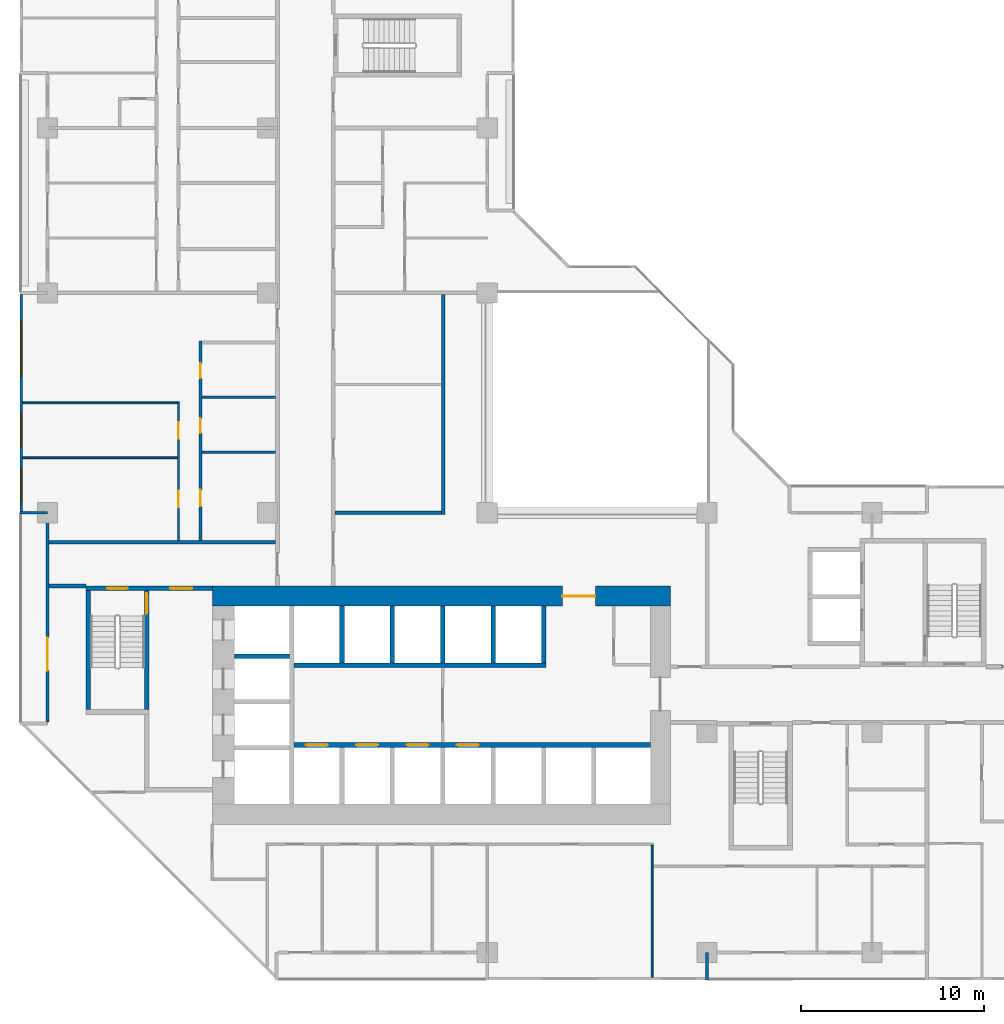
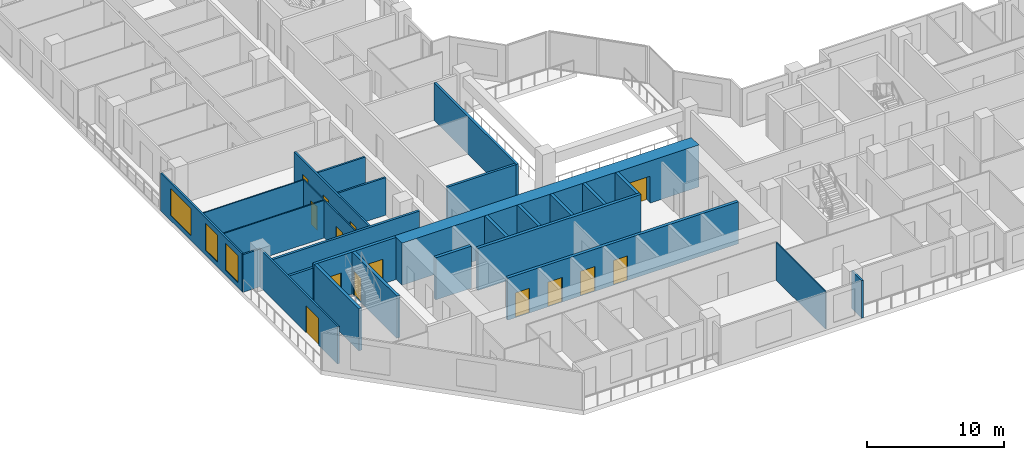
# One storey, part 5 of 15: 27 walls, 14 doors, 3 windows, 17 openings.
"""IFC4 building model written with IfcOpenShell, lengths in metres."""

from ifc_helpers import new_model, si_unit, direction, frame, frame_2d, origin, place, context, subcontext, project, spatial, rectangle, extrude, material, layer, layer_set, type_object, element, fill, save


model = new_model("IFC4")

# Units and contexts
model_context = context("Model", 3, precision=1e-05, world=origin(), true_north=direction((0.0, 1.0)))
body_context = subcontext(model_context, "Body", "Model", "MODEL_VIEW")
ifc_project = project(units=[si_unit("LENGTHUNIT", "METRE"), si_unit("AREAUNIT", "SQUARE_METRE"), si_unit("VOLUMEUNIT", "CUBIC_METRE"), si_unit("PLANEANGLEUNIT", "RADIAN"), si_unit("MASSUNIT", "GRAM", prefix="KILO")], contexts=[model_context])

# Site, building, storey
site_placement = place(None, origin())
site = spatial("IfcSite", under=ifc_project, at=site_placement, CompositionType="ELEMENT")
building_placement = place(site_placement, origin())
building = spatial("IfcBuilding", under=site, at=building_placement, Name="Chenar Terraces", CompositionType="ELEMENT")
storey_placement = place(building_placement, frame((0.0, 0.0, 60.14990234375)))
storey = spatial("IfcBuildingStorey", under=building, at=storey_placement, Name="L12", CompositionType="ELEMENT", Elevation=60.14990234375)

# Wall, opening, door
ifc_material_1 = material(Name="Concrete C70/85", Category="concrete")
ifc_layer_1 = layer(ifc_material_1, 1.10009765625)
ifc_layer_set_1 = layer_set([ifc_layer_1], Name="Concrete C70/85")
wall_type_1 = type_object("IfcWallType", Name="Core wall 1100 Concrete C70/85", PredefinedType="SHEAR", material=ifc_layer_set_1)
wall_1_placement = place(storey_placement, frame((9.0, 19.449951171875, 0.0), z_axis=(0.0, 0.0, 1.0), x_axis=(1.0, 0.0, 0.0)))
wall_1 = element("IfcWall", 1, at=wall_1_placement, inside=storey, type_object=wall_type_1, Name="Core wall N L12", PredefinedType="SHEAR", context=body_context, shape_type="SweptSolid", body=[
    extrude(rectangle(XDim=25.0, YDim=1.10009765625, at=frame_2d((12.5, 0.0))), origin(), (0.0, 0.0, 1.0), 3.75),
])
opening_1_placement = place(wall_1_placement, frame((19.10009765625, 0.0, 0.0)))
opening_1 = element("IfcOpeningElement", 2, at=opening_1_placement, cuts=wall_1, Name="Opening DL12-C2", PredefinedType="OPENING", context=body_context, shape_type="SweptSolid", body=[
    extrude(rectangle(XDim=1.800048828125, YDim=2.39990234375, at=frame_2d((0.89990234375, 1.199951171875))), frame((0.0, 0.56005859375, 0.0), z_axis=(0.0, -1.0, 0.0), x_axis=(1.0, 0.0, 0.0)), (0.0, 0.0, 1.0), 1.1201171875),
])
ifc_material_2 = material(Name="Steel-framed fire-resisting door leaf", Category="steel")
door_type_1 = type_object("IfcDoorType", Name="Core entrance double fire door FD60 1800 x 2400", OperationType="DOUBLE_DOOR_SINGLE_SWING", PredefinedType="DOOR", material=ifc_material_2)
door_1_placement = place(opening_1_placement, frame((1.800048828125, 0.0, 0.0), z_axis=(0.0, 0.0, 1.0), x_axis=(-1.0, 0.0, 0.0)))
door_1 = element("IfcDoor", 3, at=door_1_placement, inside=storey, type_object=door_type_1, Name="Core door DL12-C2", OperationType="DOUBLE_DOOR_SINGLE_SWING", OverallHeight=2.39990234375, OverallWidth=1.800048828125, PredefinedType="DOOR", context=body_context, shape_type="SweptSolid", body=[
    extrude(rectangle(XDim=1.800048828125, YDim=2.39990234375, at=frame_2d((0.89990234375, 1.199951171875))), frame((0.0, 0.02490234375, 0.0), z_axis=(0.0, -1.0, 0.0), x_axis=(1.0, 0.0, 0.0)), (0.0, 0.0, 1.0), 0.050048828125),
])
fill(opening_1, door_1)

# Wall, openings, doors
ifc_material_3 = material(Name="Concrete C70/85", Category="concrete")
ifc_layer_2 = layer(ifc_material_3, 0.25)
ifc_layer_set_2 = layer_set([ifc_layer_2], Name="Concrete C70/85")
wall_type_2 = type_object("IfcWallType", Name="Core wall 250 Concrete C70/85", PredefinedType="SHEAR", material=ifc_layer_set_2)
wall_2_placement = place(storey_placement, frame((13.449951171875, 11.324951171875, 0.0), z_axis=(0.0, 0.0, 1.0), x_axis=(1.0, 0.0, 0.0)))
wall_2 = element("IfcWall", 4, at=wall_2_placement, inside=storey, type_object=wall_type_2, Name="Core wall SF L12", PredefinedType="SHEAR", context=body_context, shape_type="SweptSolid", body=[
    extrude(rectangle(XDim=19.449951171875, YDim=0.25, at=frame_2d((9.72509765625, 0.0))), origin(), (0.0, 0.0, 1.0), 3.75),
])
opening_2_placement = place(wall_2_placement, frame((0.64990234375, 0.0, 0.0)))
opening_2 = element("IfcOpeningElement", 5, at=opening_2_placement, cuts=wall_2, Name="Opening DL12-LD1", PredefinedType="OPENING", context=body_context, shape_type="SweptSolid", body=[
    extrude(rectangle(XDim=1.199951171875, YDim=2.199951171875, at=frame_2d((0.60009765625, 1.10009765625))), frame((0.0, 0.135009765625, 0.0), z_axis=(0.0, -1.0, 0.0), x_axis=(1.0, 0.0, 0.0)), (0.0, 0.0, 1.0), 0.27001953125),
])
opening_3_placement = place(wall_2_placement, frame((3.39990234375, 0.0, 0.0)))
opening_3 = element("IfcOpeningElement", 6, at=opening_3_placement, cuts=wall_2, Name="Opening DL12-LD2", PredefinedType="OPENING", context=body_context, shape_type="SweptSolid", body=[
    extrude(rectangle(XDim=1.199951171875, YDim=2.199951171875, at=frame_2d((0.60009765625, 1.10009765625))), frame((0.0, 0.135009765625, 0.0), z_axis=(0.0, -1.0, 0.0), x_axis=(1.0, 0.0, 0.0)), (0.0, 0.0, 1.0), 0.27001953125),
])
opening_4_placement = place(wall_2_placement, frame((6.14990234375, 0.0, 0.0)))
opening_4 = element("IfcOpeningElement", 7, at=opening_4_placement, cuts=wall_2, Name="Opening DL12-LD3", PredefinedType="OPENING", context=body_context, shape_type="SweptSolid", body=[
    extrude(rectangle(XDim=1.199951171875, YDim=2.199951171875, at=frame_2d((0.60009765625, 1.10009765625))), frame((0.0, 0.135009765625, 0.0), z_axis=(0.0, -1.0, 0.0), x_axis=(1.0, 0.0, 0.0)), (0.0, 0.0, 1.0), 0.27001953125),
])
opening_5_placement = place(wall_2_placement, frame((8.89990234375, 0.0, 0.0)))
opening_5 = element("IfcOpeningElement", 8, at=opening_5_placement, cuts=wall_2, Name="Opening DL12-LD4", PredefinedType="OPENING", context=body_context, shape_type="SweptSolid", body=[
    extrude(rectangle(XDim=1.199951171875, YDim=2.199951171875, at=frame_2d((0.60009765625, 1.10009765625))), frame((0.0, 0.135009765625, 0.0), z_axis=(0.0, -1.0, 0.0), x_axis=(1.0, 0.0, 0.0)), (0.0, 0.0, 1.0), 0.27001953125),
])
ifc_material_4 = material(Name="Stainless steel", Category="steel")
door_type_2 = type_object("IfcDoorType", Name="Lift landing door 1200 x 2200 sliding", OperationType="DOUBLE_DOOR_SLIDING", PredefinedType="DOOR", material=ifc_material_4)
door_2_placement = place(opening_2_placement, origin())
door_2 = element("IfcDoor", 9, at=door_2_placement, inside=storey, type_object=door_type_2, Name="Landing door L1", OperationType="DOUBLE_DOOR_SLIDING", OverallHeight=2.199951171875, OverallWidth=1.199951171875, PredefinedType="DOOR", context=body_context, shape_type="SweptSolid", body=[
    extrude(rectangle(XDim=1.199951171875, YDim=2.199951171875, at=frame_2d((0.60009765625, 1.10009765625))), frame((0.0, 0.02490234375, 0.0), z_axis=(0.0, -1.0, 0.0), x_axis=(1.0, 0.0, 0.0)), (0.0, 0.0, 1.0), 0.050048828125),
])
fill(opening_2, door_2)
door_3_placement = place(opening_3_placement, origin())
door_3 = element("IfcDoor", 10, at=door_3_placement, inside=storey, type_object=door_type_2, Name="Landing door L2", OperationType="DOUBLE_DOOR_SLIDING", OverallHeight=2.199951171875, OverallWidth=1.199951171875, PredefinedType="DOOR", context=body_context, shape_type="SweptSolid", body=[
    extrude(rectangle(XDim=1.199951171875, YDim=2.199951171875, at=frame_2d((0.60009765625, 1.10009765625))), frame((0.0, 0.02490234375, 0.0), z_axis=(0.0, -1.0, 0.0), x_axis=(1.0, 0.0, 0.0)), (0.0, 0.0, 1.0), 0.050048828125),
])
fill(opening_3, door_3)
door_4_placement = place(opening_4_placement, origin())
door_4 = element("IfcDoor", 11, at=door_4_placement, inside=storey, type_object=door_type_2, Name="Landing door L3", OperationType="DOUBLE_DOOR_SLIDING", OverallHeight=2.199951171875, OverallWidth=1.199951171875, PredefinedType="DOOR", context=body_context, shape_type="SweptSolid", body=[
    extrude(rectangle(XDim=1.199951171875, YDim=2.199951171875, at=frame_2d((0.60009765625, 1.10009765625))), frame((0.0, 0.02490234375, 0.0), z_axis=(0.0, -1.0, 0.0), x_axis=(1.0, 0.0, 0.0)), (0.0, 0.0, 1.0), 0.050048828125),
])
fill(opening_4, door_4)
door_5_placement = place(opening_5_placement, origin())
door_5 = element("IfcDoor", 12, at=door_5_placement, inside=storey, type_object=door_type_2, Name="Landing door L4", OperationType="DOUBLE_DOOR_SLIDING", OverallHeight=2.199951171875, OverallWidth=1.199951171875, PredefinedType="DOOR", context=body_context, shape_type="SweptSolid", body=[
    extrude(rectangle(XDim=1.199951171875, YDim=2.199951171875, at=frame_2d((0.60009765625, 1.10009765625))), frame((0.0, 0.02490234375, 0.0), z_axis=(0.0, -1.0, 0.0), x_axis=(1.0, 0.0, 0.0)), (0.0, 0.0, 1.0), 0.050048828125),
])
fill(opening_5, door_5)

# Walls
wall_3_placement = place(storey_placement, frame((13.449951171875, 15.675048828125, 0.0), z_axis=(0.0, 0.0, 1.0), x_axis=(1.0, 0.0, 0.0)))
element("IfcWall", 13, at=wall_3_placement, inside=storey, type_object=wall_type_2, Name="Core wall NF L12", PredefinedType="SHEAR", context=body_context, shape_type="SweptSolid", body=[
    extrude(rectangle(XDim=13.75, YDim=0.25, at=frame_2d((6.875, 0.0))), origin(), (0.0, 0.0, 1.0), 3.75),
])
wall_4_placement = place(storey_placement, frame((10.199951171875, 16.175048828125, 0.0), z_axis=(0.0, 0.0, 1.0), x_axis=(1.0, 0.0, 0.0)))
element("IfcWall", 14, at=wall_4_placement, inside=storey, type_object=wall_type_2, Name="Core wall HW2 L12", PredefinedType="SHEAR", context=body_context, shape_type="SweptSolid", body=[
    extrude(rectangle(XDim=3.0, YDim=0.25, at=frame_2d((1.5, 0.0))), origin(), (0.0, 0.0, 1.0), 3.75),
])
for number, where, z_axis, x_axis, name in (
    (15, (16.074951171875, 15.800048828125, 0.0), (0.0, 0.0, 1.0), (0.0, 1.0, 0.0), "Core wall NS0 L12"),
    (16, (18.824951171875, 15.800048828125, 0.0), (0.0, 0.0, 1.0), (0.0, 1.0, 0.0), "Core wall NS1 L12"),
    (17, (21.574951171875, 15.800048828125, 0.0), (0.0, 0.0, 1.0), (0.0, 1.0, 0.0), "Core wall NS2 L12"),
    (18, (24.324951171875, 15.800048828125, 0.0), (0.0, 0.0, 1.0), (0.0, 1.0, 0.0), "Core wall NS3 L12"),
    (19, (27.074951171875, 15.800048828125, 0.0), (0.0, 0.0, 1.0), (0.0, 1.0, 0.0), "Core wall NE L12"),
):
    element("IfcWall", number, at=place(storey_placement, frame(where, z_axis=z_axis, x_axis=x_axis)), inside=storey, type_object=wall_type_2, Name=name, PredefinedType="SHEAR", context=body_context, shape_type="SweptSolid", body=[
        extrude(rectangle(XDim=3.099853515625, YDim=0.25, at=frame_2d((1.5498046875, 0.0))), origin(), (0.0, 0.0, 1.0), 3.75),
    ])

# Wall, openings, doors
wall_5_placement = place(storey_placement, frame((2.10009765625, 19.875, 0.0), z_axis=(0.0, 0.0, 1.0), x_axis=(1.0, 0.0, 0.0)))
wall_5 = element("IfcWall", 20, at=wall_5_placement, inside=storey, type_object=wall_type_2, Name="Core wall A_N L12", PredefinedType="SHEAR", context=body_context, shape_type="SweptSolid", body=[
    extrude(rectangle(XDim=6.89990234375, YDim=0.25, at=frame_2d((3.449951171875, 0.0))), origin(), (0.0, 0.0, 1.0), 3.75),
])
opening_6_placement = place(wall_5_placement, frame((1.175048828125, 0.0, 0.0)))
opening_6 = element("IfcOpeningElement", 21, at=opening_6_placement, cuts=wall_5, Name="Opening DL12-C5", PredefinedType="OPENING", context=body_context, shape_type="SweptSolid", body=[
    extrude(rectangle(XDim=1.10009765625, YDim=2.199951171875, at=frame_2d((0.550048828125, 1.10009765625))), frame((0.0, 0.135009765625, 0.0), z_axis=(0.0, -1.0, 0.0), x_axis=(1.0, 0.0, 0.0)), (0.0, 0.0, 1.0), 0.27001953125),
])
opening_7_placement = place(wall_5_placement, frame((4.60009765625, 0.0, 0.0)))
opening_7 = element("IfcOpeningElement", 22, at=opening_7_placement, cuts=wall_5, Name="Opening DL12-C6", PredefinedType="OPENING", context=body_context, shape_type="SweptSolid", body=[
    extrude(rectangle(XDim=1.199951171875, YDim=2.199951171875, at=frame_2d((0.60009765625, 1.10009765625))), frame((0.0, 0.135009765625, 0.0), z_axis=(0.0, -1.0, 0.0), x_axis=(1.0, 0.0, 0.0)), (0.0, 0.0, 1.0), 0.27001953125),
])
ifc_material_5 = material(Name="Steel-framed fire-resisting door leaf", Category="steel")
door_type_3 = type_object("IfcDoorType", Name="Lobby fire door FD60 1200 x 2200", OperationType="SINGLE_SWING_LEFT", PredefinedType="DOOR", material=ifc_material_5)
door_6_placement = place(opening_7_placement, frame((1.199951171875, 0.0, 0.0), z_axis=(0.0, 0.0, 1.0), x_axis=(-1.0, 0.0, 0.0)))
door_6 = element("IfcDoor", 23, at=door_6_placement, inside=storey, type_object=door_type_3, Name="Core door DL12-C6", OperationType="SINGLE_SWING_LEFT", OverallHeight=2.199951171875, OverallWidth=1.199951171875, PredefinedType="DOOR", context=body_context, shape_type="SweptSolid", body=[
    extrude(rectangle(XDim=1.199951171875, YDim=2.199951171875, at=frame_2d((0.60009765625, 1.10009765625))), frame((0.0, 0.02490234375, 0.0), z_axis=(0.0, -1.0, 0.0), x_axis=(1.0, 0.0, 0.0)), (0.0, 0.0, 1.0), 0.050048828125),
])
fill(opening_7, door_6)
ifc_material_6 = material(Name="Steel-framed fire-resisting door leaf", Category="steel")
door_type_4 = type_object("IfcDoorType", Name="Stair fire door FD60 1100 x 2200", OperationType="SINGLE_SWING_LEFT", PredefinedType="DOOR", material=ifc_material_6)
door_7_placement = place(opening_6_placement, origin())
door_7 = element("IfcDoor", 24, at=door_7_placement, inside=storey, type_object=door_type_4, Name="Stair door DL12-C5", OperationType="SINGLE_SWING_LEFT", OverallHeight=2.199951171875, OverallWidth=1.10009765625, PredefinedType="DOOR", context=body_context, shape_type="SweptSolid", body=[
    extrude(rectangle(XDim=1.10009765625, YDim=2.199951171875, at=frame_2d((0.550048828125, 1.10009765625))), frame((0.0, 0.02490234375, 0.0), z_axis=(0.0, -1.0, 0.0), x_axis=(1.0, 0.0, 0.0)), (0.0, 0.0, 1.0), 0.050048828125),
])
fill(opening_6, door_7)

# Wall
wall_6_placement = place(storey_placement, frame((2.22509765625, 13.25, 0.0), z_axis=(0.0, 0.0, 1.0), x_axis=(0.0, 1.0, 0.0)))
element("IfcWall", 25, at=wall_6_placement, inside=storey, type_object=wall_type_2, Name="Core wall ST1_W L12", PredefinedType="SHEAR", context=body_context, shape_type="SweptSolid", body=[
    extrude(rectangle(XDim=6.5, YDim=0.25, at=frame_2d((3.25, 0.0))), origin(), (0.0, 0.0, 1.0), 3.75),
])

# Wall, opening, door
wall_7_placement = place(storey_placement, frame((5.425048828125, 13.25, 0.0), z_axis=(0.0, 0.0, 1.0), x_axis=(0.0, 1.0, 0.0)))
wall_7 = element("IfcWall", 26, at=wall_7_placement, inside=storey, type_object=wall_type_2, Name="Core wall ST1_E L12", PredefinedType="SHEAR", context=body_context, shape_type="SweptSolid", body=[
    extrude(rectangle(XDim=6.5, YDim=0.25, at=frame_2d((3.25, 0.0))), origin(), (0.0, 0.0, 1.0), 3.75),
])
opening_8_placement = place(wall_7_placement, frame((5.25, 0.0, 0.0)))
opening_8 = element("IfcOpeningElement", 27, at=opening_8_placement, cuts=wall_7, Name="Opening DL12-C3", PredefinedType="OPENING", context=body_context, shape_type="SweptSolid", body=[
    extrude(rectangle(XDim=1.10009765625, YDim=2.199951171875, at=frame_2d((0.550048828125, 1.10009765625))), frame((0.0, 0.135009765625, 0.0), z_axis=(0.0, -1.0, 0.0), x_axis=(1.0, 0.0, 0.0)), (0.0, 0.0, 1.0), 0.27001953125),
])
door_8_placement = place(opening_8_placement, origin())
door_8 = element("IfcDoor", 28, at=door_8_placement, inside=storey, type_object=door_type_4, Name="Stair door DL12-C3", OperationType="SINGLE_SWING_RIGHT", OverallHeight=2.199951171875, OverallWidth=1.10009765625, PredefinedType="DOOR", context=body_context, shape_type="SweptSolid", body=[
    extrude(rectangle(XDim=1.10009765625, YDim=2.199951171875, at=frame_2d((0.550048828125, 1.10009765625))), frame((0.0, 0.02490234375, 0.0), z_axis=(0.0, -1.0, 0.0), x_axis=(1.0, 0.0, 0.0)), (0.0, 0.0, 1.0), 0.050048828125),
])
fill(opening_8, door_8)

# Walls
ifc_material_7 = material(Name="Gypsum board on steel studs with fire boards", Category="steel")
ifc_layer_3 = layer(ifc_material_7, 0.199951171875)
ifc_layer_set_3 = layer_set([ifc_layer_3], Name="Gypsum board on steel studs with fire boards")
wall_type_3 = type_object("IfcWallType", Name="Corridor wall 200", PredefinedType="PARTITIONING", material=ifc_layer_set_3)
wall_8_placement = place(storey_placement, frame((0.073974609375, 20.0, 0.0), z_axis=(0.0, 0.0, 1.0), x_axis=(1.0, 0.0, 0.0)))
element("IfcWall", 29, at=wall_8_placement, inside=storey, type_object=wall_type_3, Name="Partition L12-009", PredefinedType="PARTITIONING", context=body_context, shape_type="SweptSolid", body=[
    extrude(rectangle(XDim=2.026123046875, YDim=0.199951171875, at=frame_2d((1.01318359375, 0.0))), origin(), (0.0, 0.0, 1.0), 3.35009765625),
])
wall_9_placement = place(storey_placement, frame((0.073974609375, 22.39990234375, 0.0), z_axis=(0.0, 0.0, 1.0), x_axis=(1.0, 0.0, 0.0)))
element("IfcWall", 30, at=wall_9_placement, inside=storey, type_object=wall_type_3, Name="Partition L12-010", PredefinedType="PARTITIONING", context=body_context, shape_type="SweptSolid", body=[
    extrude(rectangle(XDim=12.3759765625, YDim=0.199951171875, at=frame_2d((6.18798828125, 0.0))), origin(), (0.0, 0.0, 1.0), 3.35009765625),
])
wall_10_placement = place(storey_placement, frame((15.699951171875, 24.0, 0.0), z_axis=(0.0, 0.0, 1.0), x_axis=(1.0, 0.0, 0.0)))
element("IfcWall", 31, at=wall_10_placement, inside=storey, type_object=wall_type_3, Name="Partition L12-039", PredefinedType="PARTITIONING", context=body_context, shape_type="SweptSolid", body=[
    extrude(rectangle(XDim=5.800048828125, YDim=0.199951171875, at=frame_2d((2.89990234375, 0.0))), origin(), (0.0, 0.0, 1.0), 3.35009765625),
])
wall_11_placement = place(storey_placement, frame((21.60009765625, 23.89990234375, 0.0), z_axis=(0.0, 0.0, 1.0), x_axis=(0.0, 1.0, 0.0)))
element("IfcWall", 32, at=wall_11_placement, inside=storey, type_object=wall_type_3, Name="Partition L12-057", PredefinedType="PARTITIONING", context=body_context, shape_type="SweptSolid", body=[
    extrude(rectangle(XDim=12.0, YDim=0.199951171875, at=frame_2d((6.0, 0.0))), origin(), (0.0, 0.0, 1.0), 3.35009765625),
])

# Wall, openings, windows
ifc_material_8 = material(Name="Aluminium framed glazing", Category="aluminium")
ifc_layer_4 = layer(ifc_material_8, 0.14990234375)
ifc_layer_set_4 = layer_set([ifc_layer_4], Name="Aluminium framed glazing")
wall_type_4 = type_object("IfcWallType", Name="Glazed flush facade wall 150", PredefinedType="SOLIDWALL", material=ifc_layer_set_4)
wall_12_placement = place(storey_placement, frame((-1.425048828125, 35.925048828125, 0.0), z_axis=(0.0, 0.0, 1.0), x_axis=(0.0, -1.0, 0.0)))
wall_12 = element("IfcWall", 33, at=wall_12_placement, inside=storey, type_object=wall_type_4, Name="Glazed flush facade wall", PredefinedType="SOLIDWALL", context=body_context, shape_type="SweptSolid", body=[
    extrude(rectangle(XDim=11.85009765625, YDim=0.14990234375, at=frame_2d((5.925048828125, 0.0))), origin(), (0.0, 0.0, 1.0), 3.35009765625),
])
opening_9_placement = place(wall_12_placement, frame((1.46240234375, 0.0, 0.449951171875)))
opening_9 = element("IfcOpeningElement", 34, at=opening_9_placement, cuts=wall_12, Name="Opening W300x240", PredefinedType="OPENING", context=body_context, shape_type="SweptSolid", body=[
    extrude(rectangle(XDim=3.0, YDim=2.39990234375, at=frame_2d((1.5, 1.199951171875))), frame((0.0, 0.0849609375, 0.0), z_axis=(0.0, -1.0, 0.0), x_axis=(1.0, 0.0, 0.0)), (0.0, 0.0, 1.0), 0.169921875),
])
opening_10_placement = place(wall_12_placement, frame((6.52490234375, 0.0, 0.449951171875)))
opening_10 = element("IfcOpeningElement", 35, at=opening_10_placement, cuts=wall_12, Name="Opening W180x240", PredefinedType="OPENING", context=body_context, shape_type="SweptSolid", body=[
    extrude(rectangle(XDim=1.800048828125, YDim=2.39990234375, at=frame_2d((0.89990234375, 1.199951171875))), frame((0.0, 0.0849609375, 0.0), z_axis=(0.0, -1.0, 0.0), x_axis=(1.0, 0.0, 0.0)), (0.0, 0.0, 1.0), 0.169921875),
])
opening_11_placement = place(wall_12_placement, frame((9.487548828125, 0.0, 0.449951171875)))
opening_11 = element("IfcOpeningElement", 36, at=opening_11_placement, cuts=wall_12, Name="Opening W180x240", PredefinedType="OPENING", context=body_context, shape_type="SweptSolid", body=[
    extrude(rectangle(XDim=1.800048828125, YDim=2.39990234375, at=frame_2d((0.89990234375, 1.199951171875))), frame((0.0, 0.0849609375, 0.0), z_axis=(0.0, -1.0, 0.0), x_axis=(1.0, 0.0, 0.0)), (0.0, 0.0, 1.0), 0.169921875),
])
ifc_material_9 = material(Name="Low emissivity double glazing, aluminium frame", Category="aluminium")
window_type_1 = type_object("IfcWindowType", Name="Fixed light 1800 x 2400", PartitioningType="SINGLE_PANEL", PredefinedType="WINDOW", material=ifc_material_9)
window_1_placement = place(opening_10_placement, origin())
window_1 = element("IfcWindow", 37, at=window_1_placement, inside=storey, type_object=window_type_1, Name="Window", OverallHeight=2.39990234375, OverallWidth=1.800048828125, PartitioningType="SINGLE_PANEL", PredefinedType="WINDOW", context=body_context, shape_type="SweptSolid", body=[
    extrude(rectangle(XDim=1.800048828125, YDim=2.39990234375, at=frame_2d((0.89990234375, 1.199951171875))), frame((0.0, 0.030029296875, 0.0), z_axis=(0.0, -1.0, 0.0), x_axis=(1.0, 0.0, 0.0)), (0.0, 0.0, 1.0), 0.06005859375),
])
fill(opening_10, window_1)
window_2_placement = place(opening_11_placement, origin())
window_2 = element("IfcWindow", 38, at=window_2_placement, inside=storey, type_object=window_type_1, Name="Window", OverallHeight=2.39990234375, OverallWidth=1.800048828125, PartitioningType="SINGLE_PANEL", PredefinedType="WINDOW", context=body_context, shape_type="SweptSolid", body=[
    extrude(rectangle(XDim=1.800048828125, YDim=2.39990234375, at=frame_2d((0.89990234375, 1.199951171875))), frame((0.0, 0.030029296875, 0.0), z_axis=(0.0, -1.0, 0.0), x_axis=(1.0, 0.0, 0.0)), (0.0, 0.0, 1.0), 0.06005859375),
])
fill(opening_11, window_2)
ifc_material_10 = material(Name="Low emissivity double glazing, aluminium frame", Category="aluminium")
window_type_2 = type_object("IfcWindowType", Name="Fixed light 3000 x 2400", PartitioningType="SINGLE_PANEL", PredefinedType="WINDOW", material=ifc_material_10)
window_3_placement = place(opening_9_placement, origin())
window_3 = element("IfcWindow", 39, at=window_3_placement, inside=storey, type_object=window_type_2, Name="Window", OverallHeight=2.39990234375, OverallWidth=3.0, PartitioningType="SINGLE_PANEL", PredefinedType="WINDOW", context=body_context, shape_type="SweptSolid", body=[
    extrude(rectangle(XDim=3.0, YDim=2.39990234375, at=frame_2d((1.5, 1.199951171875))), frame((0.0, 0.030029296875, 0.0), z_axis=(0.0, -1.0, 0.0), x_axis=(1.0, 0.0, 0.0)), (0.0, 0.0, 1.0), 0.06005859375),
])
fill(opening_9, window_3)

# Wall, opening, door
ifc_material_11 = material(Name="Aluminium framed glazing", Category="aluminium")
ifc_layer_5 = layer(ifc_material_11, 0.14990234375)
ifc_layer_set_5 = layer_set([ifc_layer_5], Name="Aluminium framed glazing")
wall_type_5 = type_object("IfcWallType", Name="Glazed loggia back wall 150", PredefinedType="SOLIDWALL", material=ifc_layer_set_5)
wall_13_placement = place(storey_placement, frame((0.0, 23.925048828125, 0.0), z_axis=(0.0, 0.0, 1.0), x_axis=(0.0, -1.0, 0.0)))
wall_13 = element("IfcWall", 40, at=wall_13_placement, inside=storey, type_object=wall_type_5, Name="Glazed loggia back wall", PredefinedType="SOLIDWALL", context=body_context, shape_type="SweptSolid", body=[
    extrude(rectangle(XDim=11.35009765625, YDim=0.14990234375, at=frame_2d((5.675048828125, 0.0))), origin(), (0.0, 0.0, 1.0), 3.35009765625),
])
opening_12_placement = place(wall_13_placement, frame((6.737548828125, 0.0, 0.0)))
opening_12 = element("IfcOpeningElement", 41, at=opening_12_placement, cuts=wall_13, Name="Opening DL12-G4", PredefinedType="OPENING", context=body_context, shape_type="SweptSolid", body=[
    extrude(rectangle(XDim=1.800048828125, YDim=2.39990234375, at=frame_2d((0.89990234375, 1.199951171875))), frame((0.0, 0.0849609375, 0.0), z_axis=(0.0, -1.0, 0.0), x_axis=(1.0, 0.0, 0.0)), (0.0, 0.0, 1.0), 0.169921875),
])
ifc_material_12 = material(Name="Low emissivity double glazing, aluminium frame", Category="aluminium")
door_type_5 = type_object("IfcDoorType", Name="Loggia glazed double door 1800 x 2400", OperationType="DOUBLE_DOOR_SINGLE_SWING", PredefinedType="DOOR", material=ifc_material_12)
door_9_placement = place(opening_12_placement, frame((1.800048828125, 0.0, 0.0), z_axis=(0.0, 0.0, 1.0), x_axis=(-1.0, 0.0, 0.0)))
door_9 = element("IfcDoor", 42, at=door_9_placement, inside=storey, type_object=door_type_5, Name="Loggia glazed door", OperationType="DOUBLE_DOOR_SINGLE_SWING", OverallHeight=2.39990234375, OverallWidth=1.800048828125, PredefinedType="DOOR", context=body_context, shape_type="SweptSolid", body=[
    extrude(rectangle(XDim=1.800048828125, YDim=2.39990234375, at=frame_2d((0.89990234375, 1.199951171875))), frame((0.0, 0.02490234375, 0.0), z_axis=(0.0, -1.0, 0.0), x_axis=(1.0, 0.0, 0.0)), (0.0, 0.0, 1.0), 0.050048828125),
])
fill(opening_12, door_9)

# Walls
ifc_material_13 = material(Name="Gypsum board on steel studs", Category="steel")
ifc_layer_6 = layer(ifc_material_13, 0.10009765625)
ifc_layer_set_6 = layer_set([ifc_layer_6], Name="Gypsum board on steel studs")
wall_type_6 = type_object("IfcWallType", Name="Gypsum partition 100", PredefinedType="PARTITIONING", material=ifc_layer_set_6)
wall_14_placement = place(storey_placement, frame((-1.35107421875, 27.0, 0.0), z_axis=(0.0, 0.0, 1.0), x_axis=(1.0, 0.0, 0.0)))
element("IfcWall", 43, at=wall_14_placement, inside=storey, type_object=wall_type_6, Name="Partition L12-001", PredefinedType="PARTITIONING", context=body_context, shape_type="SweptSolid", body=[
    extrude(rectangle(XDim=8.451171875, YDim=0.10009765625, at=frame_2d((4.2255859375, 0.0))), origin(), (0.0, 0.0, 1.0), 3.35009765625),
])
wall_15_placement = place(storey_placement, frame((-1.35009765625, 30.0, 0.0), z_axis=(0.0, 0.0, 1.0), x_axis=(1.0, 0.0, 0.0)))
element("IfcWall", 44, at=wall_15_placement, inside=storey, type_object=wall_type_6, Name="Partition L12-004", PredefinedType="PARTITIONING", context=body_context, shape_type="SweptSolid", body=[
    extrude(rectangle(XDim=8.4501953125, YDim=0.10009765625, at=frame_2d((4.22509765625, 0.0))), origin(), (0.0, 0.0, 1.0), 3.35009765625),
])

# Wall, openings, doors
wall_16_placement = place(storey_placement, frame((7.14990234375, 22.5, 0.0), z_axis=(0.0, 0.0, 1.0), x_axis=(0.0, 1.0, 0.0)))
wall_16 = element("IfcWall", 45, at=wall_16_placement, inside=storey, type_object=wall_type_6, Name="Partition L12-018", PredefinedType="PARTITIONING", context=body_context, shape_type="SweptSolid", body=[
    extrude(rectangle(XDim=7.550048828125, YDim=0.10009765625, at=frame_2d((3.77490234375, 0.0))), origin(), (0.0, 0.0, 1.0), 3.35009765625),
])
opening_13_placement = place(wall_16_placement, frame((1.800048828125, 0.0, 0.0)))
opening_13 = element("IfcOpeningElement", 46, at=opening_13_placement, cuts=wall_16, Name="Opening DL12-69", PredefinedType="OPENING", context=body_context, shape_type="SweptSolid", body=[
    extrude(rectangle(XDim=0.89990234375, YDim=2.10009765625, at=frame_2d((0.449951171875, 1.050048828125))), frame((0.0, 0.06005859375, 0.0), z_axis=(0.0, -1.0, 0.0), x_axis=(1.0, 0.0, 0.0)), (0.0, 0.0, 1.0), 0.1201171875),
])
opening_14_placement = place(wall_16_placement, frame((5.550048828125, 0.0, 0.0)))
opening_14 = element("IfcOpeningElement", 47, at=opening_14_placement, cuts=wall_16, Name="Opening DL12-70", PredefinedType="OPENING", context=body_context, shape_type="SweptSolid", body=[
    extrude(rectangle(XDim=0.89990234375, YDim=2.10009765625, at=frame_2d((0.449951171875, 1.050048828125))), frame((0.0, 0.06005859375, 0.0), z_axis=(0.0, -1.0, 0.0), x_axis=(1.0, 0.0, 0.0)), (0.0, 0.0, 1.0), 0.1201171875),
])
ifc_material_14 = material(Name="Veneered timber door leaf", Category="wood")
door_type_6 = type_object("IfcDoorType", Name="Door 900 x 2100", OperationType="SINGLE_SWING_LEFT", PredefinedType="DOOR", material=ifc_material_14)
door_10_placement = place(opening_13_placement, origin())
door_10 = element("IfcDoor", 48, at=door_10_placement, inside=storey, type_object=door_type_6, Name="Door DL12-69", OperationType="SINGLE_SWING_RIGHT", OverallHeight=2.10009765625, OverallWidth=0.89990234375, PredefinedType="DOOR", context=body_context, shape_type="SweptSolid", body=[
    extrude(rectangle(XDim=0.89990234375, YDim=2.10009765625, at=frame_2d((0.449951171875, 1.050048828125))), frame((0.0, 0.02490234375, 0.0), z_axis=(0.0, -1.0, 0.0), x_axis=(1.0, 0.0, 0.0)), (0.0, 0.0, 1.0), 0.050048828125),
])
fill(opening_13, door_10)
door_11_placement = place(opening_14_placement, origin())
door_11 = element("IfcDoor", 49, at=door_11_placement, inside=storey, type_object=door_type_6, Name="Door DL12-70", OperationType="SINGLE_SWING_RIGHT", OverallHeight=2.10009765625, OverallWidth=0.89990234375, PredefinedType="DOOR", context=body_context, shape_type="SweptSolid", body=[
    extrude(rectangle(XDim=0.89990234375, YDim=2.10009765625, at=frame_2d((0.449951171875, 1.050048828125))), frame((0.0, 0.02490234375, 0.0), z_axis=(0.0, -1.0, 0.0), x_axis=(1.0, 0.0, 0.0)), (0.0, 0.0, 1.0), 0.050048828125),
])
fill(opening_14, door_11)

# Walls
wall_17_placement = place(storey_placement, frame((33.0, -1.35009765625, 0.0), z_axis=(0.0, 0.0, 1.0), x_axis=(0.0, 1.0, 0.0)))
element("IfcWall", 50, at=wall_17_placement, inside=storey, type_object=wall_type_6, Name="Partition L12-059", PredefinedType="PARTITIONING", context=body_context, shape_type="SweptSolid", body=[
    extrude(rectangle(XDim=7.2001953125, YDim=0.10009765625, at=frame_2d((3.60009765625, 0.0))), origin(), (0.0, 0.0, 1.0), 3.35009765625),
])
ifc_material_15 = material(Name="Terracotta cladding on insulated backing", Category="masonry")
ifc_layer_7 = layer(ifc_material_15, 0.14990234375)
ifc_layer_set_7 = layer_set([ifc_layer_7], Name="Terracotta cladding on insulated backing")
wall_type_7 = type_object("IfcWallType", Name="Loggia return wall 150", PredefinedType="SOLIDWALL", material=ifc_layer_set_7)
for number, where, z_axis, x_axis, name in (
    (51, (-1.5, 24.0, 0.0), (0.0, 0.0, 1.0), (1.0, 0.0, 0.0), "Loggia return wall"),
    (52, (36.0, -1.5, 0.0), (0.0, 0.0, 1.0), (0.0, 1.0, 0.0), "Loggia return wall"),
):
    element("IfcWall", number, at=place(storey_placement, frame(where, z_axis=z_axis, x_axis=x_axis)), inside=storey, type_object=wall_type_7, Name=name, PredefinedType="SOLIDWALL", context=body_context, shape_type="SweptSolid", body=[
        extrude(rectangle(XDim=1.5, YDim=0.14990234375, at=frame_2d((0.75, 0.0))), origin(), (0.0, 0.0, 1.0), 3.35009765625),
    ])

# Wall, openings, doors
ifc_material_16 = material(Name="Moisture-resistant gypsum board on steel studs", Category="steel")
ifc_layer_8 = layer(ifc_material_16, 0.14990234375)
ifc_layer_set_8 = layer_set([ifc_layer_8], Name="Moisture-resistant gypsum board on steel studs")
wall_type_8 = type_object("IfcWallType", Name="Wet-room partition 150", PredefinedType="PARTITIONING", material=ifc_layer_set_8)
wall_18_placement = place(storey_placement, frame((8.35009765625, 22.5, 0.0), z_axis=(0.0, 0.0, 1.0), x_axis=(0.0, 1.0, 0.0)))
wall_18 = element("IfcWall", 53, at=wall_18_placement, inside=storey, type_object=wall_type_8, Name="Partition L12-027", PredefinedType="PARTITIONING", context=body_context, shape_type="SweptSolid", body=[
    extrude(rectangle(XDim=10.875, YDim=0.14990234375, at=frame_2d((5.4375, 0.0))), origin(), (0.0, 0.0, 1.0), 3.35009765625),
])
opening_15_placement = place(wall_18_placement, frame((8.85009765625, 0.0, 0.0)))
opening_15 = element("IfcOpeningElement", 54, at=opening_15_placement, cuts=wall_18, Name="Opening DL12-68", PredefinedType="OPENING", context=body_context, shape_type="SweptSolid", body=[
    extrude(rectangle(XDim=0.800048828125, YDim=2.10009765625, at=frame_2d((0.39990234375, 1.050048828125))), frame((0.0, 0.0849609375, 0.0), z_axis=(0.0, -1.0, 0.0), x_axis=(1.0, 0.0, 0.0)), (0.0, 0.0, 1.0), 0.169921875),
])
opening_16_placement = place(wall_18_placement, frame((1.85009765625, 0.0, 0.0)))
opening_16 = element("IfcOpeningElement", 55, at=opening_16_placement, cuts=wall_18, Name="Opening DL12-71", PredefinedType="OPENING", context=body_context, shape_type="SweptSolid", body=[
    extrude(rectangle(XDim=0.89990234375, YDim=2.10009765625, at=frame_2d((0.449951171875, 1.050048828125))), frame((0.0, 0.0849609375, 0.0), z_axis=(0.0, -1.0, 0.0), x_axis=(1.0, 0.0, 0.0)), (0.0, 0.0, 1.0), 0.169921875),
])
opening_17_placement = place(wall_18_placement, frame((5.85009765625, 0.0, 0.0)))
opening_17 = element("IfcOpeningElement", 56, at=opening_17_placement, cuts=wall_18, Name="Opening DL12-72", PredefinedType="OPENING", context=body_context, shape_type="SweptSolid", body=[
    extrude(rectangle(XDim=0.800048828125, YDim=2.10009765625, at=frame_2d((0.39990234375, 1.050048828125))), frame((0.0, 0.0849609375, 0.0), z_axis=(0.0, -1.0, 0.0), x_axis=(1.0, 0.0, 0.0)), (0.0, 0.0, 1.0), 0.169921875),
])
ifc_material_17 = material(Name="Veneered timber door leaf", Category="wood")
door_type_7 = type_object("IfcDoorType", Name="Door 800 x 2100", OperationType="SINGLE_SWING_LEFT", PredefinedType="DOOR", material=ifc_material_17)
door_12_placement = place(opening_15_placement, frame((0.800048828125, 0.0, 0.0), z_axis=(0.0, 0.0, 1.0), x_axis=(-1.0, 0.0, 0.0)))
door_12 = element("IfcDoor", 57, at=door_12_placement, inside=storey, type_object=door_type_7, Name="Door DL12-68", OperationType="SINGLE_SWING_RIGHT", OverallHeight=2.10009765625, OverallWidth=0.800048828125, PredefinedType="DOOR", context=body_context, shape_type="SweptSolid", body=[
    extrude(rectangle(XDim=0.800048828125, YDim=2.10009765625, at=frame_2d((0.39990234375, 1.050048828125))), frame((0.0, 0.02490234375, 0.0), z_axis=(0.0, -1.0, 0.0), x_axis=(1.0, 0.0, 0.0)), (0.0, 0.0, 1.0), 0.050048828125),
])
fill(opening_15, door_12)
door_13_placement = place(opening_17_placement, frame((0.800048828125, 0.0, 0.0), z_axis=(0.0, 0.0, 1.0), x_axis=(-1.0, 0.0, 0.0)))
door_13 = element("IfcDoor", 58, at=door_13_placement, inside=storey, type_object=door_type_7, Name="Door DL12-72", OperationType="SINGLE_SWING_RIGHT", OverallHeight=2.10009765625, OverallWidth=0.800048828125, PredefinedType="DOOR", context=body_context, shape_type="SweptSolid", body=[
    extrude(rectangle(XDim=0.800048828125, YDim=2.10009765625, at=frame_2d((0.39990234375, 1.050048828125))), frame((0.0, 0.02490234375, 0.0), z_axis=(0.0, -1.0, 0.0), x_axis=(1.0, 0.0, 0.0)), (0.0, 0.0, 1.0), 0.050048828125),
])
fill(opening_17, door_13)
door_14_placement = place(opening_16_placement, frame((0.89990234375, 0.0, 0.0), z_axis=(0.0, 0.0, 1.0), x_axis=(-1.0, 0.0, 0.0)))
door_14 = element("IfcDoor", 59, at=door_14_placement, inside=storey, type_object=door_type_6, Name="Door DL12-71", OperationType="SINGLE_SWING_LEFT", OverallHeight=2.10009765625, OverallWidth=0.89990234375, PredefinedType="DOOR", context=body_context, shape_type="SweptSolid", body=[
    extrude(rectangle(XDim=0.89990234375, YDim=2.10009765625, at=frame_2d((0.449951171875, 1.050048828125))), frame((0.0, 0.02490234375, 0.0), z_axis=(0.0, -1.0, 0.0), x_axis=(1.0, 0.0, 0.0)), (0.0, 0.0, 1.0), 0.050048828125),
])
fill(opening_16, door_14)

# Walls
for number, where, z_axis, x_axis, name in (
    (60, (8.425048828125, 27.300048828125, 0.0), (0.0, 0.0, 1.0), (1.0, 0.0, 0.0), "Partition L12-028"),
    (61, (8.425048828125, 30.300048828125, 0.0), (0.0, 0.0, 1.0), (1.0, 0.0, 0.0), "Partition L12-029"),
):
    element("IfcWall", number, at=place(storey_placement, frame(where, z_axis=z_axis, x_axis=x_axis)), inside=storey, type_object=wall_type_8, Name=name, PredefinedType="PARTITIONING", context=body_context, shape_type="SweptSolid", body=[
        extrude(rectangle(XDim=4.02490234375, YDim=0.14990234375, at=frame_2d((2.012451171875, 0.0))), origin(), (0.0, 0.0, 1.0), 3.35009765625),
    ])

save(model, "model.ifc")
